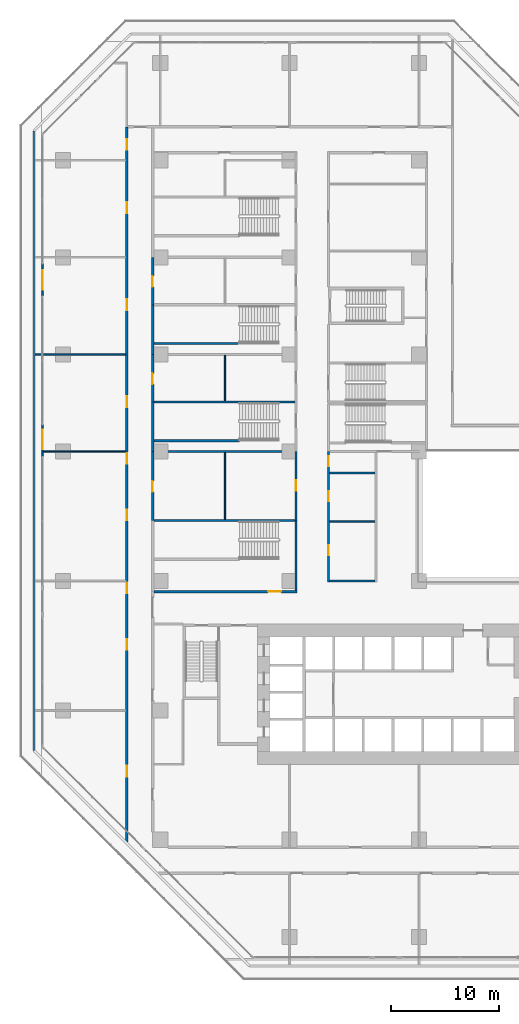
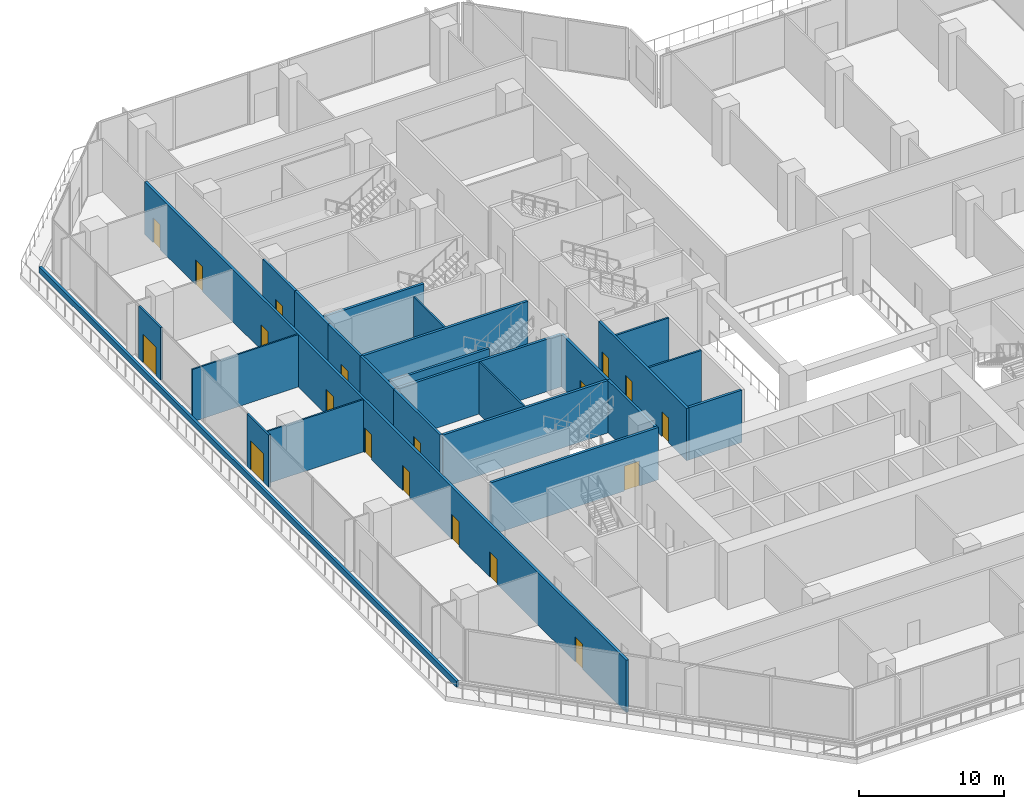
# One storey, part 17 of 31: 25 walls, 19 doors, 19 openings.
"""IFC4 building model written with IfcOpenShell, lengths in metres."""

from ifc_helpers import new_model, si_unit, direction, frame, frame_2d, origin, place, context, subcontext, project, spatial, rectangle, extrude, material, layer, layer_set, type_object, element, fill, save


model = new_model("IFC4")

# Units and contexts
model_context = context("Model", 3, precision=1e-05, world=origin(), true_north=direction((0.0, 1.0)))
body_context = subcontext(model_context, "Body", "Model", "MODEL_VIEW")
ifc_project = project(units=[si_unit("LENGTHUNIT", "METRE"), si_unit("AREAUNIT", "SQUARE_METRE"), si_unit("VOLUMEUNIT", "CUBIC_METRE"), si_unit("PLANEANGLEUNIT", "RADIAN"), si_unit("MASSUNIT", "GRAM", prefix="KILO")], contexts=[model_context])

# Site, building, storey
site_placement = place(None, origin())
site = spatial("IfcSite", under=ifc_project, at=site_placement, CompositionType="ELEMENT")
building_placement = place(site_placement, origin())
building = spatial("IfcBuilding", under=site, at=building_placement, Name="Chenar Terraces", CompositionType="ELEMENT")
storey_placement = place(building_placement, frame((0.0, 0.0, 12.0)))
storey = spatial("IfcBuildingStorey", under=building, at=storey_placement, Name="L02", CompositionType="ELEMENT", Elevation=12.0)

# Walls
ifc_material_1 = material(Name="Gypsum board on steel studs with mineral wool", Category="steel")
ifc_layer_1 = layer(ifc_material_1, 0.125)
ifc_layer_set_1 = layer_set([ifc_layer_1], Name="Gypsum board on steel studs with mineral wool")
wall_type_1 = type_object("IfcWallType", Name="Acoustic partition 125", PredefinedType="PARTITIONING", material=ifc_layer_set_1)
wall_1_placement = place(storey_placement, frame((-11.60009765625, 45.0, 0.0), z_axis=(0.0, 0.0, 1.0), x_axis=(1.0, 0.0, 0.0)))
element("IfcWall", 1, at=wall_1_placement, inside=storey, type_object=wall_type_1, Name="Partition L02-003", PredefinedType="PARTITIONING", context=body_context, shape_type="SweptSolid", body=[
    extrude(rectangle(XDim=8.400146484375, YDim=0.125, at=frame_2d((4.2001953125, 0.0))), origin(), (0.0, 0.0, 1.0), 4.39990234375),
])
wall_2_placement = place(storey_placement, frame((-10.85107421875, 36.0, 0.0), z_axis=(0.0, 0.0, 1.0), x_axis=(1.0, 0.0, 0.0)))
element("IfcWall", 2, at=wall_2_placement, inside=storey, type_object=wall_type_1, Name="Partition L02-006", PredefinedType="PARTITIONING", context=body_context, shape_type="SweptSolid", body=[
    extrude(rectangle(XDim=7.651123046875, YDim=0.125, at=frame_2d((3.82568359375, 0.0))), origin(), (0.0, 0.0, 1.0), 4.39990234375),
])
wall_3_placement = place(storey_placement, frame((6.0, 29.699951171875, 0.0), z_axis=(0.0, 0.0, 1.0), x_axis=(0.0, 1.0, 0.0)))
element("IfcWall", 3, at=wall_3_placement, inside=storey, type_object=wall_type_1, Name="Partition L02-036", PredefinedType="PARTITIONING", context=body_context, shape_type="SweptSolid", body=[
    extrude(rectangle(XDim=6.199951171875, YDim=0.125, at=frame_2d((3.10009765625, 0.0))), origin(), (0.0, 0.0, 1.0), 4.39990234375),
])
wall_4_placement = place(storey_placement, frame((6.0, 40.699951171875, 0.0), z_axis=(0.0, 0.0, 1.0), x_axis=(0.0, 1.0, 0.0)))
element("IfcWall", 4, at=wall_4_placement, inside=storey, type_object=wall_type_1, Name="Partition L02-037", PredefinedType="PARTITIONING", context=body_context, shape_type="SweptSolid", body=[
    extrude(rectangle(XDim=4.199951171875, YDim=0.125, at=frame_2d((2.10009765625, 0.0))), origin(), (0.0, 0.0, 1.0), 4.39990234375),
])

# Wall, openings, doors
ifc_material_2 = material(Name="Gypsum board on steel studs with fire boards", Category="steel")
ifc_layer_2 = layer(ifc_material_2, 0.199951171875)
ifc_layer_set_2 = layer_set([ifc_layer_2], Name="Gypsum board on steel studs with fire boards")
wall_type_2 = type_object("IfcWallType", Name="Corridor wall 200", PredefinedType="PARTITIONING", material=ifc_layer_set_2)
wall_5_placement = place(storey_placement, frame((-3.10009765625, -0.18359375, 0.0), z_axis=(0.0, 0.0, 1.0), x_axis=(0.0, 1.0, 0.0)))
wall_5 = element("IfcWall", 5, at=wall_5_placement, inside=storey, type_object=wall_type_2, Name="Partition L02-008", PredefinedType="PARTITIONING", context=body_context, shape_type="SweptSolid", body=[
    extrude(rectangle(XDim=66.28369140625, YDim=0.199951171875, at=frame_2d((33.141845703125, 0.0))), origin(), (0.0, 0.0, 1.0), 4.39990234375),
])
opening_1_placement = place(wall_5_placement, frame((6.033935546875, 0.0, 0.0)))
opening_1 = element("IfcOpeningElement", 6, at=opening_1_placement, cuts=wall_5, Name="Opening DL02-70", PredefinedType="OPENING", context=body_context, shape_type="SweptSolid", body=[
    extrude(rectangle(XDim=1.0, YDim=2.10009765625, at=frame_2d((0.5, 1.050048828125))), frame((0.0, 0.10986328125, 0.0), z_axis=(0.0, -1.0, 0.0), x_axis=(1.0, 0.0, 0.0)), (0.0, 0.0, 1.0), 0.219970703125),
])
opening_2_placement = place(wall_5_placement, frame((17.783935546875, 0.0, 0.0)))
opening_2 = element("IfcOpeningElement", 7, at=opening_2_placement, cuts=wall_5, Name="Opening DL02-71", PredefinedType="OPENING", context=body_context, shape_type="SweptSolid", body=[
    extrude(rectangle(XDim=1.0, YDim=2.10009765625, at=frame_2d((0.5, 1.050048828125))), frame((0.0, 0.10986328125, 0.0), z_axis=(0.0, -1.0, 0.0), x_axis=(1.0, 0.0, 0.0)), (0.0, 0.0, 1.0), 0.219970703125),
])
opening_3_placement = place(wall_5_placement, frame((23.033935546875, 0.0, 0.0)))
opening_3 = element("IfcOpeningElement", 8, at=opening_3_placement, cuts=wall_5, Name="Opening DL02-72", PredefinedType="OPENING", context=body_context, shape_type="SweptSolid", body=[
    extrude(rectangle(XDim=1.0, YDim=2.10009765625, at=frame_2d((0.5, 1.050048828125))), frame((0.0, 0.10986328125, 0.0), z_axis=(0.0, -1.0, 0.0), x_axis=(1.0, 0.0, 0.0)), (0.0, 0.0, 1.0), 0.219970703125),
])
opening_4_placement = place(wall_5_placement, frame((29.783935546875, 0.0, 0.0)))
opening_4 = element("IfcOpeningElement", 9, at=opening_4_placement, cuts=wall_5, Name="Opening DL02-73", PredefinedType="OPENING", context=body_context, shape_type="SweptSolid", body=[
    extrude(rectangle(XDim=1.0, YDim=2.10009765625, at=frame_2d((0.5, 1.050048828125))), frame((0.0, 0.10986328125, 0.0), z_axis=(0.0, -1.0, 0.0), x_axis=(1.0, 0.0, 0.0)), (0.0, 0.0, 1.0), 0.219970703125),
])
opening_5_placement = place(wall_5_placement, frame((35.033935546875, 0.0, 0.0)))
opening_5 = element("IfcOpeningElement", 10, at=opening_5_placement, cuts=wall_5, Name="Opening DL02-74", PredefinedType="OPENING", context=body_context, shape_type="SweptSolid", body=[
    extrude(rectangle(XDim=1.0, YDim=2.10009765625, at=frame_2d((0.5, 1.050048828125))), frame((0.0, 0.10986328125, 0.0), z_axis=(0.0, -1.0, 0.0), x_axis=(1.0, 0.0, 0.0)), (0.0, 0.0, 1.0), 0.219970703125),
])
opening_6_placement = place(wall_5_placement, frame((40.283935546875, 0.0, 0.0)))
opening_6 = element("IfcOpeningElement", 11, at=opening_6_placement, cuts=wall_5, Name="Opening DL02-75", PredefinedType="OPENING", context=body_context, shape_type="SweptSolid", body=[
    extrude(rectangle(XDim=1.0, YDim=2.10009765625, at=frame_2d((0.5, 1.050048828125))), frame((0.0, 0.10986328125, 0.0), z_axis=(0.0, -1.0, 0.0), x_axis=(1.0, 0.0, 0.0)), (0.0, 0.0, 1.0), 0.219970703125),
])
opening_7_placement = place(wall_5_placement, frame((49.283935546875, 0.0, 0.0)))
opening_7 = element("IfcOpeningElement", 12, at=opening_7_placement, cuts=wall_5, Name="Opening DL02-76", PredefinedType="OPENING", context=body_context, shape_type="SweptSolid", body=[
    extrude(rectangle(XDim=1.0, YDim=2.10009765625, at=frame_2d((0.5, 1.050048828125))), frame((0.0, 0.10986328125, 0.0), z_axis=(0.0, -1.0, 0.0), x_axis=(1.0, 0.0, 0.0)), (0.0, 0.0, 1.0), 0.219970703125),
])
opening_8_placement = place(wall_5_placement, frame((58.283935546875, 0.0, 0.0)))
opening_8 = element("IfcOpeningElement", 13, at=opening_8_placement, cuts=wall_5, Name="Opening DL02-77", PredefinedType="OPENING", context=body_context, shape_type="SweptSolid", body=[
    extrude(rectangle(XDim=1.0, YDim=2.10009765625, at=frame_2d((0.5, 1.050048828125))), frame((0.0, 0.10986328125, 0.0), z_axis=(0.0, -1.0, 0.0), x_axis=(1.0, 0.0, 0.0)), (0.0, 0.0, 1.0), 0.219970703125),
])
opening_9_placement = place(wall_5_placement, frame((64.134033203125, 0.0, 0.0)))
opening_9 = element("IfcOpeningElement", 14, at=opening_9_placement, cuts=wall_5, Name="Opening DL02-78", PredefinedType="OPENING", context=body_context, shape_type="SweptSolid", body=[
    extrude(rectangle(XDim=1.0, YDim=2.10009765625, at=frame_2d((0.5, 1.050048828125))), frame((0.0, 0.10986328125, 0.0), z_axis=(0.0, -1.0, 0.0), x_axis=(1.0, 0.0, 0.0)), (0.0, 0.0, 1.0), 0.219970703125),
])
ifc_material_3 = material(Name="Steel-framed fire-resisting door leaf", Category="steel")
door_type_1 = type_object("IfcDoorType", Name="Fire door FD60 1000 x 2100", OperationType="SINGLE_SWING_LEFT", PredefinedType="DOOR", material=ifc_material_3)
door_1_placement = place(opening_1_placement, origin())
door_1 = element("IfcDoor", 15, at=door_1_placement, inside=storey, type_object=door_type_1, Name="Door DL02-70", OperationType="SINGLE_SWING_RIGHT", OverallHeight=2.10009765625, OverallWidth=1.0, PredefinedType="DOOR", context=body_context, shape_type="SweptSolid", body=[
    extrude(rectangle(XDim=1.0, YDim=2.10009765625, at=frame_2d((0.5, 1.050048828125))), frame((0.0, 0.02490234375, 0.0), z_axis=(0.0, -1.0, 0.0), x_axis=(1.0, 0.0, 0.0)), (0.0, 0.0, 1.0), 0.050048828125),
])
fill(opening_1, door_1)
door_2_placement = place(opening_2_placement, origin())
door_2 = element("IfcDoor", 16, at=door_2_placement, inside=storey, type_object=door_type_1, Name="Door DL02-71", OperationType="SINGLE_SWING_RIGHT", OverallHeight=2.10009765625, OverallWidth=1.0, PredefinedType="DOOR", context=body_context, shape_type="SweptSolid", body=[
    extrude(rectangle(XDim=1.0, YDim=2.10009765625, at=frame_2d((0.5, 1.050048828125))), frame((0.0, 0.02490234375, 0.0), z_axis=(0.0, -1.0, 0.0), x_axis=(1.0, 0.0, 0.0)), (0.0, 0.0, 1.0), 0.050048828125),
])
fill(opening_2, door_2)
door_3_placement = place(opening_3_placement, origin())
door_3 = element("IfcDoor", 17, at=door_3_placement, inside=storey, type_object=door_type_1, Name="Door DL02-72", OperationType="SINGLE_SWING_RIGHT", OverallHeight=2.10009765625, OverallWidth=1.0, PredefinedType="DOOR", context=body_context, shape_type="SweptSolid", body=[
    extrude(rectangle(XDim=1.0, YDim=2.10009765625, at=frame_2d((0.5, 1.050048828125))), frame((0.0, 0.02490234375, 0.0), z_axis=(0.0, -1.0, 0.0), x_axis=(1.0, 0.0, 0.0)), (0.0, 0.0, 1.0), 0.050048828125),
])
fill(opening_3, door_3)
door_4_placement = place(opening_4_placement, origin())
door_4 = element("IfcDoor", 18, at=door_4_placement, inside=storey, type_object=door_type_1, Name="Door DL02-73", OperationType="SINGLE_SWING_RIGHT", OverallHeight=2.10009765625, OverallWidth=1.0, PredefinedType="DOOR", context=body_context, shape_type="SweptSolid", body=[
    extrude(rectangle(XDim=1.0, YDim=2.10009765625, at=frame_2d((0.5, 1.050048828125))), frame((0.0, 0.02490234375, 0.0), z_axis=(0.0, -1.0, 0.0), x_axis=(1.0, 0.0, 0.0)), (0.0, 0.0, 1.0), 0.050048828125),
])
fill(opening_4, door_4)
door_5_placement = place(opening_5_placement, origin())
door_5 = element("IfcDoor", 19, at=door_5_placement, inside=storey, type_object=door_type_1, Name="Door DL02-74", OperationType="SINGLE_SWING_RIGHT", OverallHeight=2.10009765625, OverallWidth=1.0, PredefinedType="DOOR", context=body_context, shape_type="SweptSolid", body=[
    extrude(rectangle(XDim=1.0, YDim=2.10009765625, at=frame_2d((0.5, 1.050048828125))), frame((0.0, 0.02490234375, 0.0), z_axis=(0.0, -1.0, 0.0), x_axis=(1.0, 0.0, 0.0)), (0.0, 0.0, 1.0), 0.050048828125),
])
fill(opening_5, door_5)
door_6_placement = place(opening_6_placement, origin())
door_6 = element("IfcDoor", 20, at=door_6_placement, inside=storey, type_object=door_type_1, Name="Door DL02-75", OperationType="SINGLE_SWING_LEFT", OverallHeight=2.10009765625, OverallWidth=1.0, PredefinedType="DOOR", context=body_context, shape_type="SweptSolid", body=[
    extrude(rectangle(XDim=1.0, YDim=2.10009765625, at=frame_2d((0.5, 1.050048828125))), frame((0.0, 0.02490234375, 0.0), z_axis=(0.0, -1.0, 0.0), x_axis=(1.0, 0.0, 0.0)), (0.0, 0.0, 1.0), 0.050048828125),
])
fill(opening_6, door_6)
door_7_placement = place(opening_7_placement, origin())
door_7 = element("IfcDoor", 21, at=door_7_placement, inside=storey, type_object=door_type_1, Name="Door DL02-76", OperationType="SINGLE_SWING_LEFT", OverallHeight=2.10009765625, OverallWidth=1.0, PredefinedType="DOOR", context=body_context, shape_type="SweptSolid", body=[
    extrude(rectangle(XDim=1.0, YDim=2.10009765625, at=frame_2d((0.5, 1.050048828125))), frame((0.0, 0.02490234375, 0.0), z_axis=(0.0, -1.0, 0.0), x_axis=(1.0, 0.0, 0.0)), (0.0, 0.0, 1.0), 0.050048828125),
])
fill(opening_7, door_7)
door_8_placement = place(opening_8_placement, origin())
door_8 = element("IfcDoor", 22, at=door_8_placement, inside=storey, type_object=door_type_1, Name="Door DL02-77", OperationType="SINGLE_SWING_LEFT", OverallHeight=2.10009765625, OverallWidth=1.0, PredefinedType="DOOR", context=body_context, shape_type="SweptSolid", body=[
    extrude(rectangle(XDim=1.0, YDim=2.10009765625, at=frame_2d((0.5, 1.050048828125))), frame((0.0, 0.02490234375, 0.0), z_axis=(0.0, -1.0, 0.0), x_axis=(1.0, 0.0, 0.0)), (0.0, 0.0, 1.0), 0.050048828125),
])
fill(opening_8, door_8)
door_9_placement = place(opening_9_placement, origin())
door_9 = element("IfcDoor", 23, at=door_9_placement, inside=storey, type_object=door_type_1, Name="Door DL02-78", OperationType="SINGLE_SWING_LEFT", OverallHeight=2.10009765625, OverallWidth=1.0, PredefinedType="DOOR", context=body_context, shape_type="SweptSolid", body=[
    extrude(rectangle(XDim=1.0, YDim=2.10009765625, at=frame_2d((0.5, 1.050048828125))), frame((0.0, 0.02490234375, 0.0), z_axis=(0.0, -1.0, 0.0), x_axis=(1.0, 0.0, 0.0)), (0.0, 0.0, 1.0), 0.050048828125),
])
fill(opening_9, door_9)

# Wall, opening, door
wall_6_placement = place(storey_placement, frame((-0.699951171875, 29.60009765625, 0.0), z_axis=(0.0, 0.0, 1.0), x_axis=(0.0, 1.0, 0.0)))
wall_6 = element("IfcWall", 24, at=wall_6_placement, inside=storey, type_object=wall_type_2, Name="Partition L02-013", PredefinedType="PARTITIONING", context=body_context, shape_type="SweptSolid", body=[
    extrude(rectangle(XDim=6.39990234375, YDim=0.199951171875, at=frame_2d((3.199951171875, 0.0))), origin(), (0.0, 0.0, 1.0), 4.39990234375),
])
opening_10_placement = place(wall_6_placement, frame((2.64990234375, 0.0, 0.0)))
opening_10 = element("IfcOpeningElement", 25, at=opening_10_placement, cuts=wall_6, Name="Opening DL02-35", PredefinedType="OPENING", context=body_context, shape_type="SweptSolid", body=[
    extrude(rectangle(XDim=1.0, YDim=2.10009765625, at=frame_2d((0.5, 1.050048828125))), frame((0.0, 0.10986328125, 0.0), z_axis=(0.0, -1.0, 0.0), x_axis=(1.0, 0.0, 0.0)), (0.0, 0.0, 1.0), 0.219970703125),
])
door_10_placement = place(opening_10_placement, frame((1.0, 0.0, 0.0), z_axis=(0.0, 0.0, 1.0), x_axis=(-1.0, 0.0, 0.0)))
door_10 = element("IfcDoor", 26, at=door_10_placement, inside=storey, type_object=door_type_1, Name="Door DL02-35", OperationType="SINGLE_SWING_LEFT", OverallHeight=2.10009765625, OverallWidth=1.0, PredefinedType="DOOR", context=body_context, shape_type="SweptSolid", body=[
    extrude(rectangle(XDim=1.0, YDim=2.10009765625, at=frame_2d((0.5, 1.050048828125))), frame((0.0, 0.02490234375, 0.0), z_axis=(0.0, -1.0, 0.0), x_axis=(1.0, 0.0, 0.0)), (0.0, 0.0, 1.0), 0.050048828125),
])
fill(opening_10, door_10)

wall_7_placement = place(storey_placement, frame((-0.699951171875, 40.60009765625, 0.0), z_axis=(0.0, 0.0, 1.0), x_axis=(0.0, 1.0, 0.0)))
wall_7 = element("IfcWall", 27, at=wall_7_placement, inside=storey, type_object=wall_type_2, Name="Partition L02-015", PredefinedType="PARTITIONING", context=body_context, shape_type="SweptSolid", body=[
    extrude(rectangle(XDim=4.39990234375, YDim=0.199951171875, at=frame_2d((2.199951171875, 0.0))), origin(), (0.0, 0.0, 1.0), 4.39990234375),
])
opening_11_placement = place(wall_7_placement, frame((1.64990234375, 0.0, 0.0)))
opening_11 = element("IfcOpeningElement", 28, at=opening_11_placement, cuts=wall_7, Name="Opening DL02-36", PredefinedType="OPENING", context=body_context, shape_type="SweptSolid", body=[
    extrude(rectangle(XDim=1.0, YDim=2.10009765625, at=frame_2d((0.5, 1.050048828125))), frame((0.0, 0.10986328125, 0.0), z_axis=(0.0, -1.0, 0.0), x_axis=(1.0, 0.0, 0.0)), (0.0, 0.0, 1.0), 0.219970703125),
])
door_11_placement = place(opening_11_placement, frame((1.0, 0.0, 0.0), z_axis=(0.0, 0.0, 1.0), x_axis=(-1.0, 0.0, 0.0)))
door_11 = element("IfcDoor", 29, at=door_11_placement, inside=storey, type_object=door_type_1, Name="Door DL02-36", OperationType="SINGLE_SWING_LEFT", OverallHeight=2.10009765625, OverallWidth=1.0, PredefinedType="DOOR", context=body_context, shape_type="SweptSolid", body=[
    extrude(rectangle(XDim=1.0, YDim=2.10009765625, at=frame_2d((0.5, 1.050048828125))), frame((0.0, 0.02490234375, 0.0), z_axis=(0.0, -1.0, 0.0), x_axis=(1.0, 0.0, 0.0)), (0.0, 0.0, 1.0), 0.050048828125),
])
fill(opening_11, door_11)

wall_8_placement = place(storey_placement, frame((-0.699951171875, 49.60009765625, 0.0), z_axis=(0.0, 0.0, 1.0), x_axis=(0.0, 1.0, 0.0)))
wall_8 = element("IfcWall", 30, at=wall_8_placement, inside=storey, type_object=wall_type_2, Name="Partition L02-017", PredefinedType="PARTITIONING", context=body_context, shape_type="SweptSolid", body=[
    extrude(rectangle(XDim=4.39990234375, YDim=0.199951171875, at=frame_2d((2.199951171875, 0.0))), origin(), (0.0, 0.0, 1.0), 4.39990234375),
])
opening_12_placement = place(wall_8_placement, frame((1.64990234375, 0.0, 0.0)))
opening_12 = element("IfcOpeningElement", 31, at=opening_12_placement, cuts=wall_8, Name="Opening DL02-37", PredefinedType="OPENING", context=body_context, shape_type="SweptSolid", body=[
    extrude(rectangle(XDim=1.0, YDim=2.10009765625, at=frame_2d((0.5, 1.050048828125))), frame((0.0, 0.10986328125, 0.0), z_axis=(0.0, -1.0, 0.0), x_axis=(1.0, 0.0, 0.0)), (0.0, 0.0, 1.0), 0.219970703125),
])
door_12_placement = place(opening_12_placement, frame((1.0, 0.0, 0.0), z_axis=(0.0, 0.0, 1.0), x_axis=(-1.0, 0.0, 0.0)))
door_12 = element("IfcDoor", 32, at=door_12_placement, inside=storey, type_object=door_type_1, Name="Door DL02-37", OperationType="SINGLE_SWING_LEFT", OverallHeight=2.10009765625, OverallWidth=1.0, PredefinedType="DOOR", context=body_context, shape_type="SweptSolid", body=[
    extrude(rectangle(XDim=1.0, YDim=2.10009765625, at=frame_2d((0.5, 1.050048828125))), frame((0.0, 0.02490234375, 0.0), z_axis=(0.0, -1.0, 0.0), x_axis=(1.0, 0.0, 0.0)), (0.0, 0.0, 1.0), 0.050048828125),
])
fill(opening_12, door_12)

wall_9_placement = place(storey_placement, frame((12.60009765625, 29.60009765625, 0.0), z_axis=(0.0, 0.0, 1.0), x_axis=(0.0, 1.0, 0.0)))
wall_9 = element("IfcWall", 33, at=wall_9_placement, inside=storey, type_object=wall_type_2, Name="Partition L02-044", PredefinedType="PARTITIONING", context=body_context, shape_type="SweptSolid", body=[
    extrude(rectangle(XDim=6.39990234375, YDim=0.199951171875, at=frame_2d((3.199951171875, 0.0))), origin(), (0.0, 0.0, 1.0), 4.39990234375),
])
opening_13_placement = place(wall_9_placement, frame((2.75, 0.0, 0.0)))
opening_13 = element("IfcOpeningElement", 34, at=opening_13_placement, cuts=wall_9, Name="Opening DL02-12", PredefinedType="OPENING", context=body_context, shape_type="SweptSolid", body=[
    extrude(rectangle(XDim=1.0, YDim=2.10009765625, at=frame_2d((0.5, 1.050048828125))), frame((0.0, 0.10986328125, 0.0), z_axis=(0.0, -1.0, 0.0), x_axis=(1.0, 0.0, 0.0)), (0.0, 0.0, 1.0), 0.219970703125),
])
door_13_placement = place(opening_13_placement, origin())
door_13 = element("IfcDoor", 35, at=door_13_placement, inside=storey, type_object=door_type_1, Name="Door DL02-12", OperationType="SINGLE_SWING_RIGHT", OverallHeight=2.10009765625, OverallWidth=1.0, PredefinedType="DOOR", context=body_context, shape_type="SweptSolid", body=[
    extrude(rectangle(XDim=1.0, YDim=2.10009765625, at=frame_2d((0.5, 1.050048828125))), frame((0.0, 0.02490234375, 0.0), z_axis=(0.0, -1.0, 0.0), x_axis=(1.0, 0.0, 0.0)), (0.0, 0.0, 1.0), 0.050048828125),
])
fill(opening_13, door_13)

# Wall, openings, doors
wall_10_placement = place(storey_placement, frame((15.60009765625, 23.89990234375, 0.0), z_axis=(0.0, 0.0, 1.0), x_axis=(0.0, 1.0, 0.0)))
wall_10 = element("IfcWall", 36, at=wall_10_placement, inside=storey, type_object=wall_type_2, Name="Partition L02-052", PredefinedType="PARTITIONING", context=body_context, shape_type="SweptSolid", body=[
    extrude(rectangle(XDim=12.10009765625, YDim=0.199951171875, at=frame_2d((6.050048828125, 0.0))), origin(), (0.0, 0.0, 1.0), 4.39990234375),
])
opening_14_placement = place(wall_10_placement, frame((10.75, 0.0, 0.0)))
opening_14 = element("IfcOpeningElement", 37, at=opening_14_placement, cuts=wall_10, Name="Opening DL02-88", PredefinedType="OPENING", context=body_context, shape_type="SweptSolid", body=[
    extrude(rectangle(XDim=0.89990234375, YDim=2.10009765625, at=frame_2d((0.449951171875, 1.050048828125))), frame((0.0, 0.10986328125, 0.0), z_axis=(0.0, -1.0, 0.0), x_axis=(1.0, 0.0, 0.0)), (0.0, 0.0, 1.0), 0.219970703125),
])
opening_15_placement = place(wall_10_placement, frame((7.5, 0.0, 0.0)))
opening_15 = element("IfcOpeningElement", 38, at=opening_15_placement, cuts=wall_10, Name="Opening DL02-89", PredefinedType="OPENING", context=body_context, shape_type="SweptSolid", body=[
    extrude(rectangle(XDim=0.89990234375, YDim=2.10009765625, at=frame_2d((0.449951171875, 1.050048828125))), frame((0.0, 0.10986328125, 0.0), z_axis=(0.0, -1.0, 0.0), x_axis=(1.0, 0.0, 0.0)), (0.0, 0.0, 1.0), 0.219970703125),
])
opening_16_placement = place(wall_10_placement, frame((2.5, 0.0, 0.0)))
opening_16 = element("IfcOpeningElement", 39, at=opening_16_placement, cuts=wall_10, Name="Opening DL02-90", PredefinedType="OPENING", context=body_context, shape_type="SweptSolid", body=[
    extrude(rectangle(XDim=0.89990234375, YDim=2.10009765625, at=frame_2d((0.449951171875, 1.050048828125))), frame((0.0, 0.10986328125, 0.0), z_axis=(0.0, -1.0, 0.0), x_axis=(1.0, 0.0, 0.0)), (0.0, 0.0, 1.0), 0.219970703125),
])
ifc_material_4 = material(Name="Steel-framed fire-resisting door leaf", Category="steel")
door_type_2 = type_object("IfcDoorType", Name="Fire door FD60 900 x 2100", OperationType="SINGLE_SWING_LEFT", PredefinedType="DOOR", material=ifc_material_4)
door_14_placement = place(opening_14_placement, frame((0.89990234375, 0.0, 0.0), z_axis=(0.0, 0.0, 1.0), x_axis=(-1.0, 0.0, 0.0)))
door_14 = element("IfcDoor", 40, at=door_14_placement, inside=storey, type_object=door_type_2, Name="Door DL02-88", OperationType="SINGLE_SWING_LEFT", OverallHeight=2.10009765625, OverallWidth=0.89990234375, PredefinedType="DOOR", context=body_context, shape_type="SweptSolid", body=[
    extrude(rectangle(XDim=0.89990234375, YDim=2.10009765625, at=frame_2d((0.449951171875, 1.050048828125))), frame((0.0, 0.02490234375, 0.0), z_axis=(0.0, -1.0, 0.0), x_axis=(1.0, 0.0, 0.0)), (0.0, 0.0, 1.0), 0.050048828125),
])
fill(opening_14, door_14)
door_15_placement = place(opening_15_placement, frame((0.89990234375, 0.0, 0.0), z_axis=(0.0, 0.0, 1.0), x_axis=(-1.0, 0.0, 0.0)))
door_15 = element("IfcDoor", 41, at=door_15_placement, inside=storey, type_object=door_type_2, Name="Door DL02-89", OperationType="SINGLE_SWING_RIGHT", OverallHeight=2.10009765625, OverallWidth=0.89990234375, PredefinedType="DOOR", context=body_context, shape_type="SweptSolid", body=[
    extrude(rectangle(XDim=0.89990234375, YDim=2.10009765625, at=frame_2d((0.449951171875, 1.050048828125))), frame((0.0, 0.02490234375, 0.0), z_axis=(0.0, -1.0, 0.0), x_axis=(1.0, 0.0, 0.0)), (0.0, 0.0, 1.0), 0.050048828125),
])
fill(opening_15, door_15)
door_16_placement = place(opening_16_placement, frame((0.89990234375, 0.0, 0.0), z_axis=(0.0, 0.0, 1.0), x_axis=(-1.0, 0.0, 0.0)))
door_16 = element("IfcDoor", 42, at=door_16_placement, inside=storey, type_object=door_type_2, Name="Door DL02-90", OperationType="SINGLE_SWING_RIGHT", OverallHeight=2.10009765625, OverallWidth=0.89990234375, PredefinedType="DOOR", context=body_context, shape_type="SweptSolid", body=[
    extrude(rectangle(XDim=0.89990234375, YDim=2.10009765625, at=frame_2d((0.449951171875, 1.050048828125))), frame((0.0, 0.02490234375, 0.0), z_axis=(0.0, -1.0, 0.0), x_axis=(1.0, 0.0, 0.0)), (0.0, 0.0, 1.0), 0.050048828125),
])
fill(opening_16, door_16)

# Wall
wall_11_placement = place(storey_placement, frame((15.699951171875, 24.0, 0.0), z_axis=(0.0, 0.0, 1.0), x_axis=(1.0, 0.0, 0.0)))
element("IfcWall", 43, at=wall_11_placement, inside=storey, type_object=wall_type_2, Name="Partition L02-057", PredefinedType="PARTITIONING", context=body_context, shape_type="SweptSolid", body=[
    extrude(rectangle(XDim=4.199951171875, YDim=0.199951171875, at=frame_2d((2.10009765625, 0.0))), origin(), (0.0, 0.0, 1.0), 4.39990234375),
])

# Wall, opening, door
ifc_material_5 = material(Name="Aluminium framed glazing", Category="aluminium")
ifc_layer_3 = layer(ifc_material_5, 0.14990234375)
ifc_layer_set_3 = layer_set([ifc_layer_3], Name="Aluminium framed glazing")
wall_type_3 = type_object("IfcWallType", Name="Podium glazed wall 150", PredefinedType="SOLIDWALL", material=ifc_layer_set_3)
wall_12_placement = place(storey_placement, frame((-10.925048828125, 53.392578125, 0.0), z_axis=(0.0, 0.0, 1.0), x_axis=(0.0, -1.0, 0.0)))
wall_12 = element("IfcWall", 44, at=wall_12_placement, inside=storey, type_object=wall_type_3, Name="Podium glazed wall", PredefinedType="SOLIDWALL", context=body_context, shape_type="SweptSolid", body=[
    extrude(rectangle(XDim=3.0, YDim=0.14990234375, at=frame_2d((1.5, 0.0))), origin(), (0.0, 0.0, 1.0), 4.39990234375),
])
opening_17_placement = place(wall_12_placement, frame((0.60009765625, 0.0, 0.0)))
opening_17 = element("IfcOpeningElement", 45, at=opening_17_placement, cuts=wall_12, Name="Opening DL02-T1", PredefinedType="OPENING", context=body_context, shape_type="SweptSolid", body=[
    extrude(rectangle(XDim=1.800048828125, YDim=2.39990234375, at=frame_2d((0.89990234375, 1.199951171875))), frame((0.0, 0.0849609375, 0.0), z_axis=(0.0, -1.0, 0.0), x_axis=(1.0, 0.0, 0.0)), (0.0, 0.0, 1.0), 0.169921875),
])
ifc_material_6 = material(Name="Low emissivity double glazing, aluminium frame", Category="aluminium")
door_type_3 = type_object("IfcDoorType", Name="Terrace glazed double door 1800 x 2400", OperationType="DOUBLE_DOOR_SINGLE_SWING", PredefinedType="DOOR", material=ifc_material_6)
door_17_placement = place(opening_17_placement, origin())
door_17 = element("IfcDoor", 46, at=door_17_placement, inside=storey, type_object=door_type_3, Name="Terrace glazed door", OperationType="DOUBLE_DOOR_SINGLE_SWING", OverallHeight=2.39990234375, OverallWidth=1.800048828125, PredefinedType="DOOR", context=body_context, shape_type="SweptSolid", body=[
    extrude(rectangle(XDim=1.800048828125, YDim=2.39990234375, at=frame_2d((0.89990234375, 1.199951171875))), frame((0.0, 0.02490234375, 0.0), z_axis=(0.0, -1.0, 0.0), x_axis=(1.0, 0.0, 0.0)), (0.0, 0.0, 1.0), 0.050048828125),
])
fill(opening_17, door_17)

wall_13_placement = place(storey_placement, frame((-10.925048828125, 38.5, 0.0), z_axis=(0.0, 0.0, 1.0), x_axis=(0.0, -1.0, 0.0)))
wall_13 = element("IfcWall", 47, at=wall_13_placement, inside=storey, type_object=wall_type_3, Name="Podium glazed wall", PredefinedType="SOLIDWALL", context=body_context, shape_type="SweptSolid", body=[
    extrude(rectangle(XDim=3.0, YDim=0.14990234375, at=frame_2d((1.5, 0.0))), origin(), (0.0, 0.0, 1.0), 4.39990234375),
])
opening_18_placement = place(wall_13_placement, frame((0.5, 0.0, 0.0)))
opening_18 = element("IfcOpeningElement", 48, at=opening_18_placement, cuts=wall_13, Name="Opening DL02-T2", PredefinedType="OPENING", context=body_context, shape_type="SweptSolid", body=[
    extrude(rectangle(XDim=1.800048828125, YDim=2.39990234375, at=frame_2d((0.89990234375, 1.199951171875))), frame((0.0, 0.0849609375, 0.0), z_axis=(0.0, -1.0, 0.0), x_axis=(1.0, 0.0, 0.0)), (0.0, 0.0, 1.0), 0.169921875),
])
door_18_placement = place(opening_18_placement, origin())
door_18 = element("IfcDoor", 49, at=door_18_placement, inside=storey, type_object=door_type_3, Name="Terrace glazed door", OperationType="DOUBLE_DOOR_SINGLE_SWING", OverallHeight=2.39990234375, OverallWidth=1.800048828125, PredefinedType="DOOR", context=body_context, shape_type="SweptSolid", body=[
    extrude(rectangle(XDim=1.800048828125, YDim=2.39990234375, at=frame_2d((0.89990234375, 1.199951171875))), frame((0.0, 0.02490234375, 0.0), z_axis=(0.0, -1.0, 0.0), x_axis=(1.0, 0.0, 0.0)), (0.0, 0.0, 1.0), 0.050048828125),
])
fill(opening_18, door_18)

# Walls
ifc_material_7 = material(Name="Reinforced concrete C40/50", Category="concrete")
ifc_layer_4 = layer(ifc_material_7, 0.199951171875)
ifc_layer_set_4 = layer_set([ifc_layer_4], Name="Reinforced concrete C40/50")
wall_type_4 = type_object("IfcWallType", Name="Stair enclosure wall 200 concrete", PredefinedType="SOLIDWALL", material=ifc_layer_set_4)
for number, where, z_axis, x_axis, name in (
    (50, (-0.699951171875, 36.0, 0.0), (0.0, 0.0, 1.0), (0.0, 1.0, 0.0), "Stair enclosure wall L02-014"),
    (51, (-0.699951171875, 45.0, 0.0), (0.0, 0.0, 1.0), (0.0, 1.0, 0.0), "Stair enclosure wall L02-016"),
):
    element("IfcWall", number, at=place(storey_placement, frame(where, z_axis=z_axis, x_axis=x_axis)), inside=storey, type_object=wall_type_4, Name=name, PredefinedType="SOLIDWALL", context=body_context, shape_type="SweptSolid", body=[
        extrude(rectangle(XDim=4.60009765625, YDim=0.199951171875, at=frame_2d((2.300048828125, 0.0))), origin(), (0.0, 0.0, 1.0), 4.39990234375),
    ])

# Wall, opening, door
wall_14_placement = place(storey_placement, frame((-0.60009765625, 23.0, 0.0), z_axis=(0.0, 0.0, 1.0), x_axis=(1.0, 0.0, 0.0)))
wall_14 = element("IfcWall", 52, at=wall_14_placement, inside=storey, type_object=wall_type_4, Name="Stair enclosure wall L02-022", PredefinedType="SOLIDWALL", context=body_context, shape_type="SweptSolid", body=[
    extrude(rectangle(XDim=13.300048828125, YDim=0.199951171875, at=frame_2d((6.64990234375, 0.0))), origin(), (0.0, 0.0, 1.0), 4.39990234375),
])
opening_19_placement = place(wall_14_placement, frame((10.60009765625, 0.0, 0.0)))
opening_19 = element("IfcOpeningElement", 53, at=opening_19_placement, cuts=wall_14, Name="Opening DL02-83", PredefinedType="OPENING", context=body_context, shape_type="SweptSolid", body=[
    extrude(rectangle(XDim=1.199951171875, YDim=2.10009765625, at=frame_2d((0.60009765625, 1.050048828125))), frame((0.0, 0.10986328125, 0.0), z_axis=(0.0, -1.0, 0.0), x_axis=(1.0, 0.0, 0.0)), (0.0, 0.0, 1.0), 0.219970703125),
])
ifc_material_8 = material(Name="Steel-framed fire-resisting door leaf", Category="steel")
door_type_4 = type_object("IfcDoorType", Name="Fire door FD120 1200 x 2100", OperationType="SINGLE_SWING_LEFT", PredefinedType="DOOR", material=ifc_material_8)
door_19_placement = place(opening_19_placement, origin())
door_19 = element("IfcDoor", 54, at=door_19_placement, inside=storey, type_object=door_type_4, Name="Door DL02-83", OperationType="SINGLE_SWING_RIGHT", OverallHeight=2.10009765625, OverallWidth=1.199951171875, PredefinedType="DOOR", context=body_context, shape_type="SweptSolid", body=[
    extrude(rectangle(XDim=1.199951171875, YDim=2.10009765625, at=frame_2d((0.60009765625, 1.050048828125))), frame((0.0, 0.02490234375, 0.0), z_axis=(0.0, -1.0, 0.0), x_axis=(1.0, 0.0, 0.0)), (0.0, 0.0, 1.0), 0.050048828125),
])
fill(opening_19, door_19)

# Walls
for number, where, z_axis, x_axis, name in (
    (55, (-0.60009765625, 29.60009765625, 0.0), (0.0, 0.0, 1.0), (1.0, 0.0, 0.0), "Stair enclosure wall L02-023"),
    (56, (-0.60009765625, 36.0, 0.0), (0.0, 0.0, 1.0), (1.0, 0.0, 0.0), "Stair enclosure wall L02-024"),
    (57, (-0.60009765625, 40.60009765625, 0.0), (0.0, 0.0, 1.0), (1.0, 0.0, 0.0), "Stair enclosure wall L02-025"),
):
    element("IfcWall", number, at=place(storey_placement, frame(where, z_axis=z_axis, x_axis=x_axis)), inside=storey, type_object=wall_type_4, Name=name, PredefinedType="SOLIDWALL", context=body_context, shape_type="SweptSolid", body=[
        extrude(rectangle(XDim=13.10009765625, YDim=0.199951171875, at=frame_2d((6.550048828125, 0.0))), origin(), (0.0, 0.0, 1.0), 4.39990234375),
    ])
wall_15_placement = place(storey_placement, frame((12.60009765625, 23.10009765625, 0.0), z_axis=(0.0, 0.0, 1.0), x_axis=(0.0, 1.0, 0.0)))
element("IfcWall", 58, at=wall_15_placement, inside=storey, type_object=wall_type_4, Name="Stair enclosure wall L02-043", PredefinedType="SOLIDWALL", context=body_context, shape_type="SweptSolid", body=[
    extrude(rectangle(XDim=6.5, YDim=0.199951171875, at=frame_2d((3.25, 0.0))), origin(), (0.0, 0.0, 1.0), 4.39990234375),
])
for number, where, z_axis, x_axis, name in (
    (59, (-0.60009765625, 46.0, 0.0), (0.0, 0.0, 1.0), (1.0, 0.0, 0.0), "Stair enclosure wall L02-PS4-026"),
    (60, (-0.60009765625, 37.0, 0.0), (0.0, 0.0, 1.0), (1.0, 0.0, 0.0), "Stair enclosure wall L02-PS9-066"),
):
    element("IfcWall", number, at=place(storey_placement, frame(where, z_axis=z_axis, x_axis=x_axis)), inside=storey, type_object=wall_type_4, Name=name, PredefinedType="SOLIDWALL", context=body_context, shape_type="SweptSolid", body=[
        extrude(rectangle(XDim=7.945068359375, YDim=0.199951171875, at=frame_2d((3.97265625, 0.0))), origin(), (0.0, 0.0, 1.0), 4.39990234375),
    ])
ifc_material_9 = material(Name="Terracotta cladding on insulated backing", Category="masonry")
ifc_layer_5 = layer(ifc_material_9, 0.199951171875)
ifc_layer_set_5 = layer_set([ifc_layer_5], Name="Terracotta cladding on insulated backing")
wall_type_5 = type_object("IfcWallType", Name="Terrace parapet upstand 200", PredefinedType="PARAPET", material=ifc_layer_set_5)
wall_16_placement = place(storey_placement, frame((-11.699951171875, 8.27490234375, 0.0), z_axis=(0.0, 0.0, 1.0), x_axis=(0.0, 1.0, 0.0)))
element("IfcWall", 61, at=wall_16_placement, inside=storey, type_object=wall_type_5, Name="Terrace parapet", PredefinedType="PARAPET", context=body_context, shape_type="SweptSolid", body=[
    extrude(rectangle(XDim=57.4501953125, YDim=0.199951171875, at=frame_2d((28.72509765625, 0.0))), origin(), (0.0, 0.0, 1.0), 0.5),
])
ifc_material_10 = material(Name="Moisture-resistant gypsum board on steel studs", Category="steel")
ifc_layer_6 = layer(ifc_material_10, 0.14990234375)
ifc_layer_set_6 = layer_set([ifc_layer_6], Name="Moisture-resistant gypsum board on steel studs")
wall_type_6 = type_object("IfcWallType", Name="Wet-room partition 150", PredefinedType="PARTITIONING", material=ifc_layer_set_6)
for number, where, z_axis, x_axis, name in (
    (62, (15.699951171875, 29.5, 0.0), (0.0, 0.0, 1.0), (1.0, 0.0, 0.0), "Partition L02-058"),
    (63, (15.699951171875, 34.0, 0.0), (0.0, 0.0, 1.0), (1.0, 0.0, 0.0), "Partition L02-059"),
):
    element("IfcWall", number, at=place(storey_placement, frame(where, z_axis=z_axis, x_axis=x_axis)), inside=storey, type_object=wall_type_6, Name=name, PredefinedType="PARTITIONING", context=body_context, shape_type="SweptSolid", body=[
        extrude(rectangle(XDim=4.199951171875, YDim=0.14990234375, at=frame_2d((2.10009765625, 0.0))), origin(), (0.0, 0.0, 1.0), 4.39990234375),
    ])

save(model, "model.ifc")
